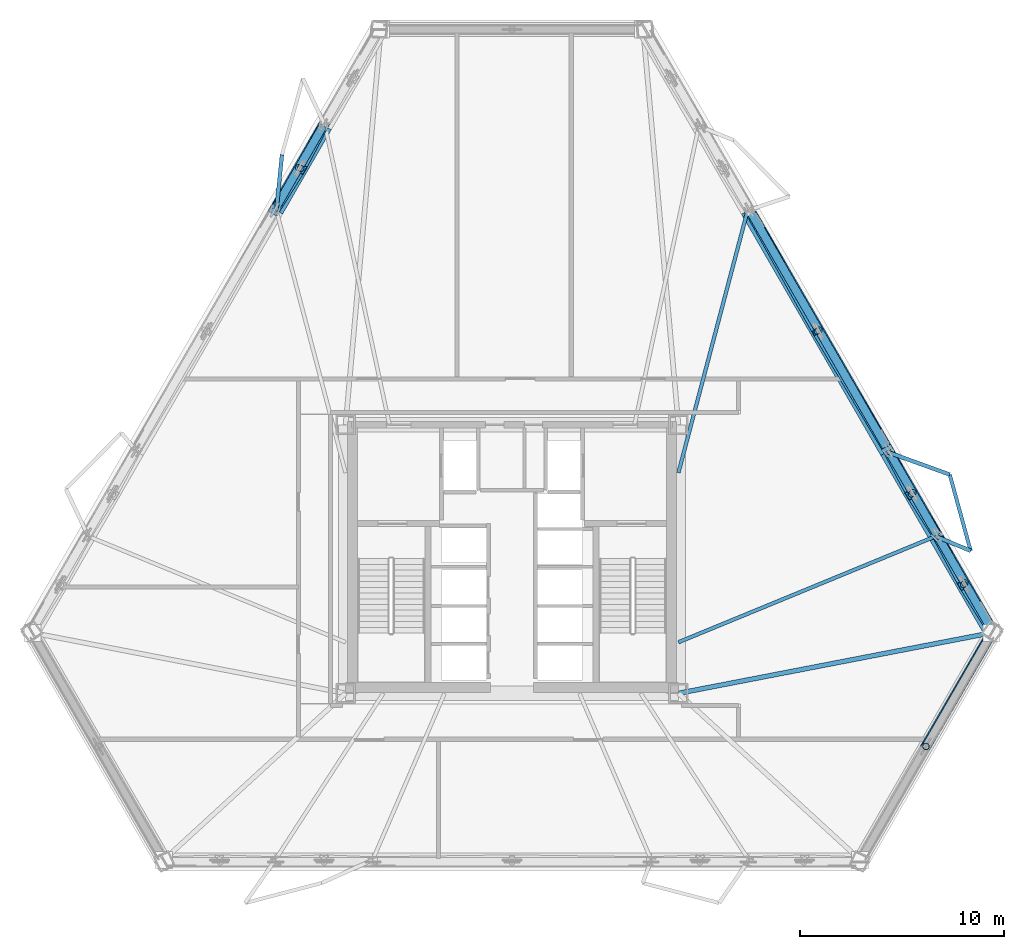
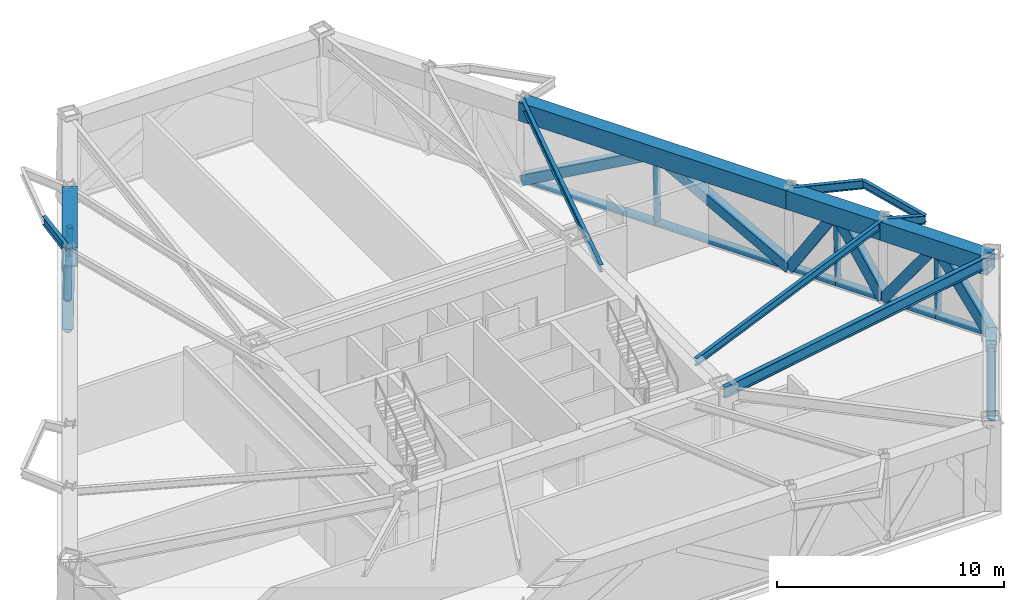
# One storey, part 4 of 11: 23 members, 11 beams.
"""IFC4 building model written with IfcOpenShell, lengths in metres."""

from ifc_helpers import new_model, si_unit, direction, frame, origin, origin_2d, place, context, subcontext, project, spatial, hollow_rectangle, hollow_circle, i_section, extrude, material, material_profile, profile_set, type_object, element, save


model = new_model("IFC4")

# Units and contexts
model_context = context("Model", 3, precision=1e-05, world=origin(), true_north=direction((0.0, 1.0)))
body_context = subcontext(model_context, "Body", "Model", "MODEL_VIEW")
ifc_project = project(units=[si_unit("LENGTHUNIT", "METRE"), si_unit("AREAUNIT", "SQUARE_METRE"), si_unit("VOLUMEUNIT", "CUBIC_METRE"), si_unit("PLANEANGLEUNIT", "RADIAN"), si_unit("MASSUNIT", "GRAM", prefix="KILO")], contexts=[model_context])

# Site, building, storey
site_placement = place(None, origin())
site = spatial("IfcSite", under=ifc_project, at=site_placement, CompositionType="ELEMENT")
building_placement = place(site_placement, origin())
building = spatial("IfcBuilding", under=site, at=building_placement, Name="Oramaril Tower", CompositionType="ELEMENT")
storey_placement = place(building_placement, frame((0.0, 0.0, 77.699951171875)))
storey = spatial("IfcBuildingStorey", under=building, at=storey_placement, Name="L20", CompositionType="ELEMENT", Elevation=77.699951171875)

# Beams
ifc_material_1 = material(Name="Steel ASTM A572 Gr 50", Category="steel")
ifc_material_profile_1 = material_profile(ifc_material_1, i_section(OverallWidth=0.19091796875, OverallDepth=0.45703125, WebThickness=0.009033203125, FlangeThickness=0.014404296875, at=origin_2d()), Name="W18X50")
ifc_profile_set_1 = profile_set([ifc_material_profile_1], Name="Steel ASTM A572 Gr 50")
beam_type_1 = type_object("IfcBeamType", Name="BT-BB1", PredefinedType="BEAM", material=ifc_profile_set_1)
beam_1_placement = place(storey_placement, frame((58.24658203125, 18.687255859375, 4.33154296875), z_axis=(0.923901215943, -0.382631079735, 0.0), x_axis=(0.382631079735, 0.923901215943, 0.0)))
element("IfcBeam", 1, at=beam_1_placement, inside=storey, type_object=beam_type_1, Name="L20 Balcony Column-Framed Cantilever 03.1", PredefinedType="BEAM", context=body_context, shape_type="SweptSolid", body=[
    extrude(i_section(OverallWidth=0.19091796875, OverallDepth=0.45703125, WebThickness=0.009033203125, FlangeThickness=0.014404296875, at=origin_2d()), origin(), (0.0, 0.0, 1.0), 1.85302734375),
])
beam_2_placement = place(storey_placement, frame((55.85888671875, 22.822509765625, 4.33154296875), z_axis=(0.940467109789, -0.33988470899, 0.0), x_axis=(0.33988470899, 0.940467109789, 0.0)))
element("IfcBeam", 2, at=beam_2_placement, inside=storey, type_object=beam_type_1, Name="L20 Balcony Column-Framed Cantilever 03.2", PredefinedType="BEAM", context=body_context, shape_type="SweptSolid", body=[
    extrude(i_section(OverallWidth=0.19091796875, OverallDepth=0.45703125, WebThickness=0.009033203125, FlangeThickness=0.014404296875, at=origin_2d()), origin(), (0.0, 0.0, 1.0), 3.271240234375),
])
beam_3_placement = place(storey_placement, frame((25.962646484375, 34.63818359375, 4.33154296875), z_axis=(0.099750402644, 0.995012490963, 0.0), x_axis=(-0.995012490963, 0.099750402644, 0.0)))
element("IfcBeam", 3, at=beam_3_placement, inside=storey, type_object=beam_type_1, Name="L20 Balcony Column-Framed Cantilever 05.2", PredefinedType="BEAM", context=body_context, shape_type="SweptSolid", body=[
    extrude(i_section(OverallWidth=0.19091796875, OverallDepth=0.45703125, WebThickness=0.009033203125, FlangeThickness=0.014404296875, at=origin_2d()), origin(), (0.0, 0.0, 1.0), 2.74365234375),
])
ifc_material_2 = material(Name="Steel ASTM A572 Gr 50", Category="steel")
ifc_material_profile_2 = material_profile(ifc_material_2, hollow_rectangle(XDim=0.699951171875, YDim=1.0, WallThickness=0.06494140625, at=origin_2d()), Name="BOX1000X700X65")
ifc_profile_set_2 = profile_set([ifc_material_profile_2], Name="Steel ASTM A572 Gr 50")
beam_type_2 = type_object("IfcBeamType", Name="BT-BT1", PredefinedType="BEAM", material=ifc_profile_set_2)
beam_4_placement = place(storey_placement, frame((60.975341796875, 13.9609375, 4.06005859375), z_axis=(-0.500002554546, 0.866023928912, 0.0), x_axis=(-0.866023928912, -0.500002554546, 0.0)))
element("IfcBeam", 4, at=beam_4_placement, inside=storey, type_object=beam_type_2, Name="L20 Perimeter Spandrel 08", PredefinedType="BEAM", context=body_context, shape_type="SweptSolid", body=[
    extrude(hollow_rectangle(XDim=0.699951171875, YDim=1.0, WallThickness=0.06494140625, at=origin_2d()), origin(), (0.0, 0.0, 1.0), 5.45751953125),
])
beam_5_placement = place(storey_placement, frame((58.24658203125, 18.687255859375, 4.06005859375), z_axis=(-0.500032254052, 0.866006781098, 0.0), x_axis=(-0.866006781098, -0.500032254052, 0.0)))
element("IfcBeam", 5, at=beam_5_placement, inside=storey, type_object=beam_type_2, Name="L20 Perimeter Spandrel 09", PredefinedType="BEAM", context=body_context, shape_type="SweptSolid", body=[
    extrude(hollow_rectangle(XDim=0.699951171875, YDim=1.0, WallThickness=0.06494140625, at=origin_2d()), origin(), (0.0, 0.0, 1.0), 4.775146484375),
])
beam_6_placement = place(storey_placement, frame((55.85888671875, 22.822509765625, 4.06005859375), z_axis=(-0.499986297627, 0.866033314708, 0.0), x_axis=(-0.866033314708, -0.499986297627, 0.0)))
element("IfcBeam", 6, at=beam_6_placement, inside=storey, type_object=beam_type_2, Name="L20 Perimeter Spandrel 10", PredefinedType="BEAM", context=body_context, shape_type="SweptSolid", body=[
    extrude(hollow_rectangle(XDim=0.699951171875, YDim=1.0, WallThickness=0.06494140625, at=origin_2d()), origin(), (0.0, 0.0, 1.0), 13.6435546875),
])
beam_7_placement = place(storey_placement, frame((28.35009765625, 38.7734375, 4.06005859375), z_axis=(-0.499993908199, -0.866028920859, 0.0), x_axis=(0.866028920859, -0.499993908199, 0.0)))
element("IfcBeam", 7, at=beam_7_placement, inside=storey, type_object=beam_type_2, Name="L20 Perimeter Spandrel 15", PredefinedType="BEAM", context=body_context, shape_type="SweptSolid", body=[
    extrude(hollow_rectangle(XDim=0.699951171875, YDim=1.0, WallThickness=0.06494140625, at=origin_2d()), origin(), (0.0, 0.0, 1.0), 4.77490234375),
])
ifc_material_3 = material(Name="Steel ASTM A572 Gr 50", Category="steel")
ifc_material_profile_3 = material_profile(ifc_material_3, i_section(OverallWidth=0.22900390625, OverallDepth=0.612060546875, WebThickness=0.011962890625, FlangeThickness=0.01953125, at=origin_2d()), Name="W24X84")
ifc_profile_set_3 = profile_set([ifc_material_profile_3], Name="Steel ASTM A572 Gr 50")
beam_type_3 = type_object("IfcBeamType", Name="BT-FB1", PredefinedType="BEAM", material=ifc_profile_set_3)
beam_8_placement = place(storey_placement, frame((45.64990234375, 11.0, 4.254150390625), z_axis=(0.981842863202, 0.189696051565, 0.0), x_axis=(-0.189696051565, 0.981842863202, 0.0)))
element("IfcBeam", 8, at=beam_8_placement, inside=storey, type_object=beam_type_3, Name="L20 Radial Primary Beam RB-04", PredefinedType="BEAM", context=body_context, shape_type="SweptSolid", body=[
    extrude(i_section(OverallWidth=0.22900390625, OverallDepth=0.612060546875, WebThickness=0.011962890625, FlangeThickness=0.01953125, at=origin_2d()), origin(), (0.0, 0.0, 1.0), 15.60888671875),
])
ifc_material_4 = material(Name="Steel ASTM A572 Gr 50", Category="steel")
ifc_material_profile_4 = material_profile(ifc_material_4, i_section(OverallWidth=0.177978515625, OverallDepth=0.404052734375, WebThickness=0.007568359375, FlangeThickness=0.010986328125, at=origin_2d()), Name="W16X36")
ifc_profile_set_4 = profile_set([ifc_material_profile_4], Name="Steel ASTM A572 Gr 50")
beam_type_4 = type_object("IfcBeamType", Name="BT-SB1", PredefinedType="BEAM", material=ifc_profile_set_4)
beam_9_placement = place(storey_placement, frame((45.64990234375, 13.5, 4.358154296875), z_axis=(0.924668077065, 0.380774142054, 0.0), x_axis=(-0.380774142054, 0.924668077065, 0.0)))
element("IfcBeam", 9, at=beam_9_placement, inside=storey, type_object=beam_type_4, Name="L20 Secondary Floor Beam SB-05", PredefinedType="BEAM", context=body_context, shape_type="SweptSolid", body=[
    extrude(i_section(OverallWidth=0.177978515625, OverallDepth=0.404052734375, WebThickness=0.007568359375, FlangeThickness=0.010986328125, at=origin_2d()), origin(), (0.0, 0.0, 1.0), 13.622802734375),
])
beam_10_placement = place(storey_placement, frame((45.64990234375, 21.800048828125, 4.358154296875), z_axis=(0.255126804204, 0.966907603536, 0.0), x_axis=(-0.966907603536, 0.255126804204, 0.0)))
element("IfcBeam", 10, at=beam_10_placement, inside=storey, type_object=beam_type_4, Name="L20 Secondary Floor Beam SB-06", PredefinedType="BEAM", context=body_context, shape_type="SweptSolid", body=[
    extrude(i_section(OverallWidth=0.177978515625, OverallDepth=0.404052734375, WebThickness=0.007568359375, FlangeThickness=0.010986328125, at=origin_2d()), origin(), (0.0, 0.0, 1.0), 13.277587890625),
])
beam_11_placement = place(storey_placement, frame((59.95849609375, 17.978271484375, 4.358154296875), z_axis=(-0.264382243015, 0.964417974521, 0.0), x_axis=(-0.964417974521, -0.264382243015, 0.0)))
element("IfcBeam", 11, at=beam_11_placement, inside=storey, type_object=beam_type_4, Name="L20 Balcony Edge Tie Beam 03", PredefinedType="BEAM", context=body_context, shape_type="SweptSolid", body=[
    extrude(i_section(OverallWidth=0.177978515625, OverallDepth=0.404052734375, WebThickness=0.007568359375, FlangeThickness=0.010986328125, at=origin_2d()), origin(), (0.0, 0.0, 1.0), 3.8701171875),
])

# Members
ifc_material_5 = material(Name="Steel ASTM A572 Gr 50", Category="steel")
ifc_material_profile_5 = material_profile(ifc_material_5, hollow_circle(Radius=0.202880859375, WallThickness=0.01611328125, at=origin_2d()), Name="CHS406X16")
ifc_profile_set_5 = profile_set([ifc_material_profile_5], Name="Steel ASTM A572 Gr 50")
member_type_1 = type_object("IfcMemberType", Name="MT-CH1", PredefinedType="CHORD", material=ifc_profile_set_5)
member_1_placement = place(storey_placement, frame((57.772705078125, 8.3955078125, 0.2099609375), z_axis=(0.500000042739, 0.866025379109, 0.0), x_axis=(-0.866025379109, 0.500000042739, 0.0)))
element("IfcMember", 12, at=member_1_placement, inside=storey, type_object=member_type_1, Name="L20 Belt Truss Chord 07B", PredefinedType="CHORD", context=body_context, shape_type="SweptSolid", body=[
    extrude(hollow_circle(Radius=0.202880859375, WallThickness=0.01611328125, at=origin_2d()), origin(), (0.0, 0.0, 1.0), 6.52197265625),
])
member_2_placement = place(storey_placement, frame((61.03369140625, 14.043701171875, 0.2099609375), z_axis=(-0.499978684219, 0.866037710107, 0.0), x_axis=(-0.866037710107, -0.499978684219, 0.0)))
element("IfcMember", 13, at=member_2_placement, inside=storey, type_object=member_type_1, Name="L20 Belt Truss Chord 08A", PredefinedType="CHORD", context=body_context, shape_type="SweptSolid", body=[
    extrude(hollow_circle(Radius=0.202880859375, WallThickness=0.01611328125, at=origin_2d()), origin(), (0.0, 0.0, 1.0), 2.7216796875),
])
member_3_placement = place(storey_placement, frame((59.6728515625, 16.40087890625, 0.2099609375), z_axis=(-0.499939847306, 0.866060130173, 0.0), x_axis=(-0.866060130173, -0.499939847306, 0.0)))
element("IfcMember", 14, at=member_3_placement, inside=storey, type_object=member_type_1, Name="L20 Belt Truss Chord 08B", PredefinedType="CHORD", context=body_context, shape_type="SweptSolid", body=[
    extrude(hollow_circle(Radius=0.202880859375, WallThickness=0.01611328125, at=origin_2d()), origin(), (0.0, 0.0, 1.0), 2.721923828125),
])
for number, where, z_axis, x_axis, name in (
    (15, (58.31201171875, 18.75830078125, 0.2099609375), (-0.500041894521, 0.86600121462, 0.0), (-0.86600121462, -0.500041894521, 0.0), "L20 Belt Truss Chord 09A"),
    (16, (57.12109375, 20.82080078125, 0.2099609375), (-0.499965010695, 0.866045603927, 0.0), (-0.866045603927, -0.499965010695, 0.0), "L20 Belt Truss Chord 09B"),
):
    element("IfcMember", number, at=place(storey_placement, frame(where, z_axis=z_axis, x_axis=x_axis)), inside=storey, type_object=member_type_1, Name=name, PredefinedType="CHORD", context=body_context, shape_type="SweptSolid", body=[
        extrude(hollow_circle(Radius=0.202880859375, WallThickness=0.01611328125, at=origin_2d()), origin(), (0.0, 0.0, 1.0), 2.381591796875),
    ])
member_4_placement = place(storey_placement, frame((55.930419921875, 22.88330078125, 0.2099609375), z_axis=(-0.500024733807, 0.866011123243, 0.0), x_axis=(-0.866011123243, -0.500024733807, 0.0)))
element("IfcMember", 17, at=member_4_placement, inside=storey, type_object=member_type_1, Name="L20 Belt Truss Chord 10A", PredefinedType="CHORD", context=body_context, shape_type="SweptSolid", body=[
    extrude(hollow_circle(Radius=0.202880859375, WallThickness=0.01611328125, at=origin_2d()), origin(), (0.0, 0.0, 1.0), 6.804931640625),
])
member_5_placement = place(storey_placement, frame((52.52783203125, 28.7763671875, 0.2099609375), z_axis=(-0.499997825845, 0.86602665903, 0.0), x_axis=(-0.86602665903, -0.499997825845, 0.0)))
element("IfcMember", 18, at=member_5_placement, inside=storey, type_object=member_type_1, Name="L20 Belt Truss Chord 10B", PredefinedType="CHORD", context=body_context, shape_type="SweptSolid", body=[
    extrude(hollow_circle(Radius=0.202880859375, WallThickness=0.01611328125, at=origin_2d()), origin(), (0.0, 0.0, 1.0), 6.8046875),
])
member_6_placement = place(storey_placement, frame((28.256103515625, 38.794677734375, 0.2099609375), z_axis=(-0.500041894521, -0.86600121462, 0.0), x_axis=(0.86600121462, -0.500041894521, 0.0)))
element("IfcMember", 19, at=member_6_placement, inside=storey, type_object=member_type_1, Name="L20 Belt Truss Chord 15A", PredefinedType="CHORD", context=body_context, shape_type="SweptSolid", body=[
    extrude(hollow_circle(Radius=0.202880859375, WallThickness=0.01611328125, at=origin_2d()), origin(), (0.0, 0.0, 1.0), 2.381591796875),
])
member_7_placement = place(storey_placement, frame((27.065185546875, 36.732177734375, 0.2099609375), z_axis=(-0.49992062581, -0.866071225645, 0.0), x_axis=(0.866071225645, -0.49992062581, 0.0)))
element("IfcMember", 20, at=member_7_placement, inside=storey, type_object=member_type_1, Name="L20 Belt Truss Chord 15B", PredefinedType="CHORD", context=body_context, shape_type="SweptSolid", body=[
    extrude(hollow_circle(Radius=0.202880859375, WallThickness=0.01611328125, at=origin_2d()), origin(), (0.0, 0.0, 1.0), 2.3818359375),
])
ifc_material_6 = material(Name="Steel ASTM A572 Gr 50", Category="steel")
ifc_material_profile_6 = material_profile(ifc_material_6, hollow_circle(Radius=0.162109375, WallThickness=0.011962890625, at=origin_2d()), Name="CHS324X12")
ifc_profile_set_6 = profile_set([ifc_material_profile_6], Name="Steel ASTM A572 Gr 50")
member_type_2 = type_object("IfcMemberType", Name="MT-ST1", PredefinedType="STRUT", material=ifc_profile_set_6)
member_8_placement = place(storey_placement, frame((57.772705078125, 8.3955078125, 0.2099609375), z_axis=(-0.002092574749, 0.001204815765, 0.999997084771), x_axis=(-0.498964444867, -0.866622456874, 0.0)))
element("IfcMember", 21, at=member_8_placement, inside=storey, type_object=member_type_2, Name="L20 Belt Truss Strut 07", PredefinedType="STRUT", context=body_context, shape_type="SweptSolid", body=[
    extrude(hollow_circle(Radius=0.162109375, WallThickness=0.011962890625, at=origin_2d()), origin(), (0.0, 0.0, 1.0), 3.85009765625),
])
for number, where, z_axis, x_axis, name in (
    (22, (59.6728515625, 16.40087890625, 0.2099609375), (-0.016037877613, -0.01990471767, 0.999673240962), (0.778686598176, -0.627413087065, 0.0), "L20 Belt Truss Strut 08"),
    (23, (57.12109375, 20.82080078125, 0.2099609375), (-0.017749832944, -0.017115910339, 0.999695948298), (0.694135570584, -0.719844295421, 0.0), "L20 Belt Truss Strut 09"),
):
    element("IfcMember", number, at=place(storey_placement, frame(where, z_axis=z_axis, x_axis=x_axis)), inside=storey, type_object=member_type_2, Name=name, PredefinedType="STRUT", context=body_context, shape_type="SweptSolid", body=[
        extrude(hollow_circle(Radius=0.162109375, WallThickness=0.011962890625, at=origin_2d()), origin(), (0.0, 0.0, 1.0), 3.851318359375),
    ])
member_9_placement = place(storey_placement, frame((52.52783203125, 28.7763671875, 0.2099609375), z_axis=(-0.020666278889, -0.011917976783, 0.999715392873), x_axis=(0.499569084189, -0.866274050242, 0.0)))
element("IfcMember", 24, at=member_9_placement, inside=storey, type_object=member_type_2, Name="L20 Belt Truss Strut 10", PredefinedType="STRUT", context=body_context, shape_type="SweptSolid", body=[
    extrude(hollow_circle(Radius=0.162109375, WallThickness=0.011962890625, at=origin_2d()), origin(), (0.0, 0.0, 1.0), 3.85107421875),
])
member_10_placement = place(storey_placement, frame((27.065185546875, 36.732177734375, 0.2099609375), z_axis=(0.023708693999, -0.006846360834, 0.999695466216), x_axis=(0.277434275021, 0.960744619055, 0.0)))
element("IfcMember", 25, at=member_10_placement, inside=storey, type_object=member_type_2, Name="L20 Belt Truss Strut 15", PredefinedType="STRUT", context=body_context, shape_type="SweptSolid", body=[
    extrude(hollow_circle(Radius=0.162109375, WallThickness=0.011962890625, at=origin_2d()), origin(), (0.0, 0.0, 1.0), 3.851318359375),
])
ifc_material_7 = material(Name="Steel ASTM A572 Gr 50", Category="steel")
ifc_material_profile_7 = material_profile(ifc_material_7, hollow_rectangle(XDim=0.5, YDim=0.5, WallThickness=0.02490234375, at=origin_2d()), Name="HSS500X500X25")
ifc_profile_set_7 = profile_set([ifc_material_profile_7], Name="Steel ASTM A572 Gr 50")
member_type_3 = type_object("IfcMemberType", Name="MT-TD1", PredefinedType="BRACE", material=ifc_profile_set_7)
member_11_placement = place(storey_placement, frame((61.03369140625, 14.043701171875, 0.2099609375), z_axis=(-0.43163590047, -0.745160229669, 0.508356844691), x_axis=(0.865311787965, -0.501233986886, 0.0)))
element("IfcMember", 26, at=member_11_placement, inside=storey, type_object=member_type_3, Name="L20 Truss Diagonal 07B", PredefinedType="BRACE", context=body_context, shape_type="SweptSolid", body=[
    extrude(hollow_rectangle(XDim=0.5, YDim=0.5, WallThickness=0.02490234375, at=origin_2d()), origin(), (0.0, 0.0, 1.0), 7.57373046875),
])
member_12_placement = place(storey_placement, frame((61.03369140625, 14.043701171875, 0.2099609375), z_axis=(-0.302971795592, 0.48568037457, 0.819952843055), x_axis=(-0.848452147554, -0.529272097612, 0.0)))
element("IfcMember", 27, at=member_12_placement, inside=storey, type_object=member_type_3, Name="L20 Truss Diagonal 08A", PredefinedType="BRACE", context=body_context, shape_type="SweptSolid", body=[
    extrude(hollow_rectangle(XDim=0.5, YDim=0.5, WallThickness=0.02490234375, at=origin_2d()), origin(), (0.0, 0.0, 1.0), 4.695556640625),
])
member_13_placement = place(storey_placement, frame((58.31201171875, 18.75830078125, 0.2099609375), z_axis=(0.274261284046, -0.513885548193, 0.812836017553), x_axis=(0.8822181839, 0.470840818108, 0.0)))
element("IfcMember", 28, at=member_13_placement, inside=storey, type_object=member_type_3, Name="L20 Truss Diagonal 08B", PredefinedType="BRACE", context=body_context, shape_type="SweptSolid", body=[
    extrude(hollow_rectangle(XDim=0.5, YDim=0.5, WallThickness=0.02490234375, at=origin_2d()), origin(), (0.0, 0.0, 1.0), 4.736572265625),
])
member_14_placement = place(storey_placement, frame((58.31201171875, 18.75830078125, 0.2099609375), z_axis=(-0.278840326674, 0.442100851404, 0.852522673838), x_axis=(-0.845818067104, -0.533471458807, 0.0)))
element("IfcMember", 29, at=member_14_placement, inside=storey, type_object=member_type_3, Name="L20 Truss Diagonal 09A", PredefinedType="BRACE", context=body_context, shape_type="SweptSolid", body=[
    extrude(hollow_rectangle(XDim=0.5, YDim=0.5, WallThickness=0.02490234375, at=origin_2d()), origin(), (0.0, 0.0, 1.0), 4.51611328125),
])
member_15_placement = place(storey_placement, frame((55.930419921875, 22.88330078125, 0.2099609375), z_axis=(0.247197403191, -0.468798555801, 0.84801023457), x_axis=(0.884559205884, 0.466427927214, 0.0)))
element("IfcMember", 30, at=member_15_placement, inside=storey, type_object=member_type_3, Name="L20 Truss Diagonal 09B", PredefinedType="BRACE", context=body_context, shape_type="SweptSolid", body=[
    extrude(hollow_rectangle(XDim=0.5, YDim=0.5, WallThickness=0.02490234375, at=origin_2d()), origin(), (0.0, 0.0, 1.0), 4.5400390625),
])
member_16_placement = place(storey_placement, frame((55.930419921875, 22.88330078125, 0.2099609375), z_axis=(-0.445343026584, 0.747806596557, 0.492397078401), x_axis=(-0.859181743399, -0.511670530526, 0.0)))
element("IfcMember", 31, at=member_16_placement, inside=storey, type_object=member_type_3, Name="L20 Truss Diagonal 10A", PredefinedType="BRACE", context=body_context, shape_type="SweptSolid", body=[
    extrude(hollow_rectangle(XDim=0.5, YDim=0.5, WallThickness=0.02490234375, at=origin_2d()), origin(), (0.0, 0.0, 1.0), 7.819091796875),
])
member_17_placement = place(storey_placement, frame((49.12548828125, 34.66943359375, 0.2099609375), z_axis=(0.424964189536, -0.759564943032, 0.492408910286), x_axis=(0.872698039879, 0.488260310892, 0.0)))
element("IfcMember", 32, at=member_17_placement, inside=storey, type_object=member_type_3, Name="L20 Truss Diagonal 10B", PredefinedType="BRACE", context=body_context, shape_type="SweptSolid", body=[
    extrude(hollow_rectangle(XDim=0.5, YDim=0.5, WallThickness=0.02490234375, at=origin_2d()), origin(), (0.0, 0.0, 1.0), 7.81884765625),
])
member_18_placement = place(storey_placement, frame((28.256103515625, 38.794677734375, 0.2099609375), z_axis=(-0.243482918897, -0.462531051084, 0.852514571716), x_axis=(0.884882324767, -0.465814631925, 0.0)))
element("IfcMember", 33, at=member_18_placement, inside=storey, type_object=member_type_3, Name="L20 Truss Diagonal 15A", PredefinedType="BRACE", context=body_context, shape_type="SweptSolid", body=[
    extrude(hollow_rectangle(XDim=0.5, YDim=0.5, WallThickness=0.02490234375, at=origin_2d()), origin(), (0.0, 0.0, 1.0), 4.51611328125),
])
member_19_placement = place(storey_placement, frame((25.87451171875, 34.66943359375, 0.2099609375), z_axis=(0.282361544322, 0.448519832639, 0.847998772415), x_axis=(-0.846266724376, 0.53275944967, 0.0)))
element("IfcMember", 34, at=member_19_placement, inside=storey, type_object=member_type_3, Name="L20 Truss Diagonal 15B", PredefinedType="BRACE", context=body_context, shape_type="SweptSolid", body=[
    extrude(hollow_rectangle(XDim=0.5, YDim=0.5, WallThickness=0.02490234375, at=origin_2d()), origin(), (0.0, 0.0, 1.0), 4.540283203125),
])

save(model, "model.ifc")
